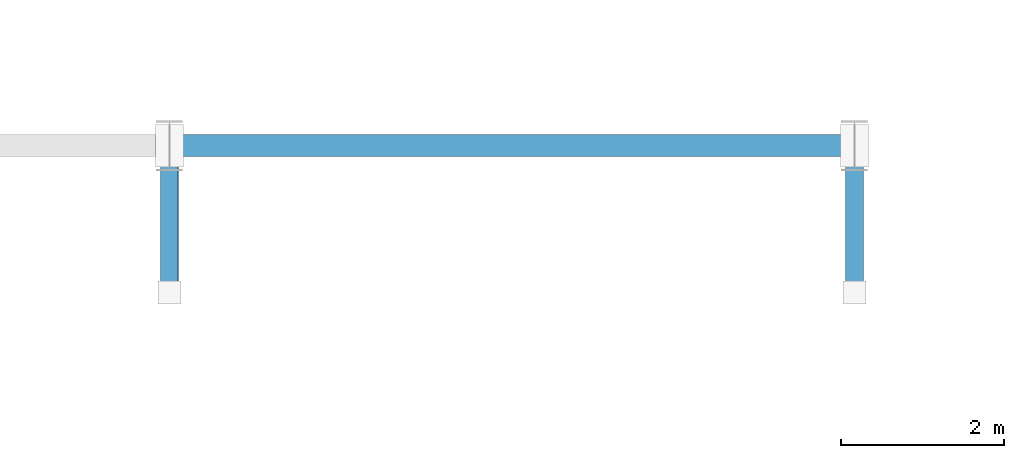
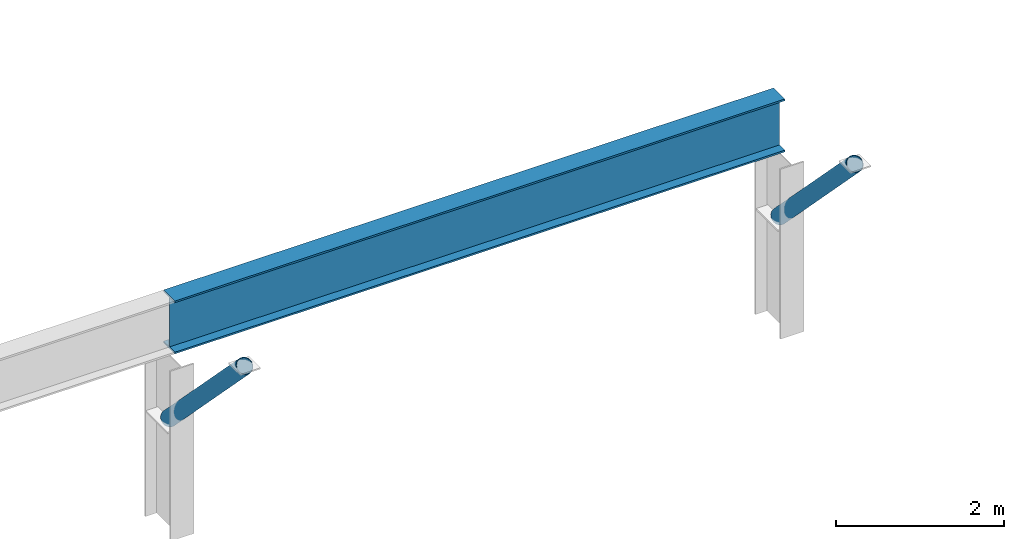
# One storey, part 71 of 107: 2 members, 1 beam.
"""IFC4 building model written with IfcOpenShell, lengths in metres."""

from ifc_helpers import new_model, si_unit, derived_unit, direction, frame, origin, origin_2d, place, context, subcontext, project, spatial, hollow_circle, i_section, extrude, material, material_profile, profile_set, type_object, element, save


model = new_model("IFC4")

# Units and contexts
model_context = context("Model", 3, precision=1e-05, world=origin(), true_north=direction((0.0, 1.0)))
body_context = subcontext(model_context, "Body", "Model", "MODEL_VIEW")
ifc_project = project(units=[si_unit("LENGTHUNIT", "METRE"), si_unit("AREAUNIT", "SQUARE_METRE"), si_unit("VOLUMEUNIT", "CUBIC_METRE"), si_unit("PLANEANGLEUNIT", "RADIAN"), si_unit("MASSUNIT", "GRAM", prefix="KILO"), derived_unit("THERMALTRANSMITTANCEUNIT", [(si_unit("MASSUNIT", "GRAM", prefix="KILO"), 1), (si_unit("TIMEUNIT", "SECOND"), -3), (si_unit("THERMODYNAMICTEMPERATUREUNIT", "KELVIN"), -1)])], contexts=[model_context])

# Site, building, storey
site_placement = place(None, origin())
site = spatial("IfcSite", under=ifc_project, at=site_placement, CompositionType="ELEMENT")
building_placement = place(site_placement, origin())
building = spatial("IfcBuilding", under=site, at=building_placement, Name="Makaiwela Harbour Ferry Terminal", CompositionType="ELEMENT")
storey_placement = place(building_placement, frame((0.0, 0.0, 9.60009765625)))
storey = spatial("IfcBuildingStorey", under=building, at=storey_placement, Name="L02", CompositionType="ELEMENT", Elevation=9.60009765625)

# Beam
ifc_material_1 = material(Name="Steel ASTM A992 Grade 50", Category="steel")
ifc_material_profile_1 = material_profile(ifc_material_1, i_section(OverallWidth=0.26806640625, OverallDepth=0.77001953125, WebThickness=0.015625, FlangeThickness=0.025390625, at=origin_2d()), Name="W30X132")
ifc_profile_set_1 = profile_set([ifc_material_profile_1], Name="Steel ASTM A992 Grade 50")
beam_type = type_object("IfcBeamType", Name="STR-GRD-W30X132", PredefinedType="USERDEFINED", material=ifc_profile_set_1)
beam_placement = place(storey_placement, frame((130.199951171875, 103.39990234375, 2.949951171875), z_axis=(1.0, 0.0, 0.0), x_axis=(0.0, 1.0, 0.0)))
element("IfcBeam", 1, at=beam_placement, inside=storey, type_object=beam_type, Name="Vault springing tie girder M-9", ObjectType="GIRDER", PredefinedType="USERDEFINED", context=body_context, shape_type="SweptSolid", body=[
    extrude(i_section(OverallWidth=0.26806640625, OverallDepth=0.77001953125, WebThickness=0.015625, FlangeThickness=0.025390625, at=origin_2d()), origin(), (0.0, 0.0, 1.0), 8.400146484375),
])

# Members
ifc_material_2 = material(Name="Steel ASTM A500 Grade C", Category="steel")
ifc_material_profile_2 = material_profile(ifc_material_2, hollow_circle(Radius=0.109619140625, WallThickness=0.00830078125, at=origin_2d()), Name="PIPE8STD")
ifc_profile_set_2 = profile_set([ifc_material_profile_2], Name="Steel ASTM A500 Grade C")
member_type = type_object("IfcMemberType", Name="STR-STT-PIPE8", PredefinedType="STRUT", material=ifc_profile_set_2)
for number, where, z_axis, x_axis, name in (
    (2, (130.199951171875, 103.39990234375, 1.5498046875), (0.0, -0.697060839799, 0.717011984292), (1.0, 0.0, 0.0), "Structural Member SR-02"),
    (3, (138.60009765625, 103.39990234375, 1.5498046875), (0.0, -0.697060839799, 0.717011984292), (1.0, 0.0, 0.0), "Structural Member SR-02"),
):
    element("IfcMember", number, at=place(storey_placement, frame(where, z_axis=z_axis, x_axis=x_axis)), inside=storey, type_object=member_type, Name=name, PredefinedType="STRUT", context=body_context, shape_type="SweptSolid", body=[
        extrude(hollow_circle(Radius=0.109619140625, WallThickness=0.00830078125, at=origin_2d()), origin(), (0.0, 0.0, 1.0), 2.58203125),
    ])

save(model, "model.ifc")
